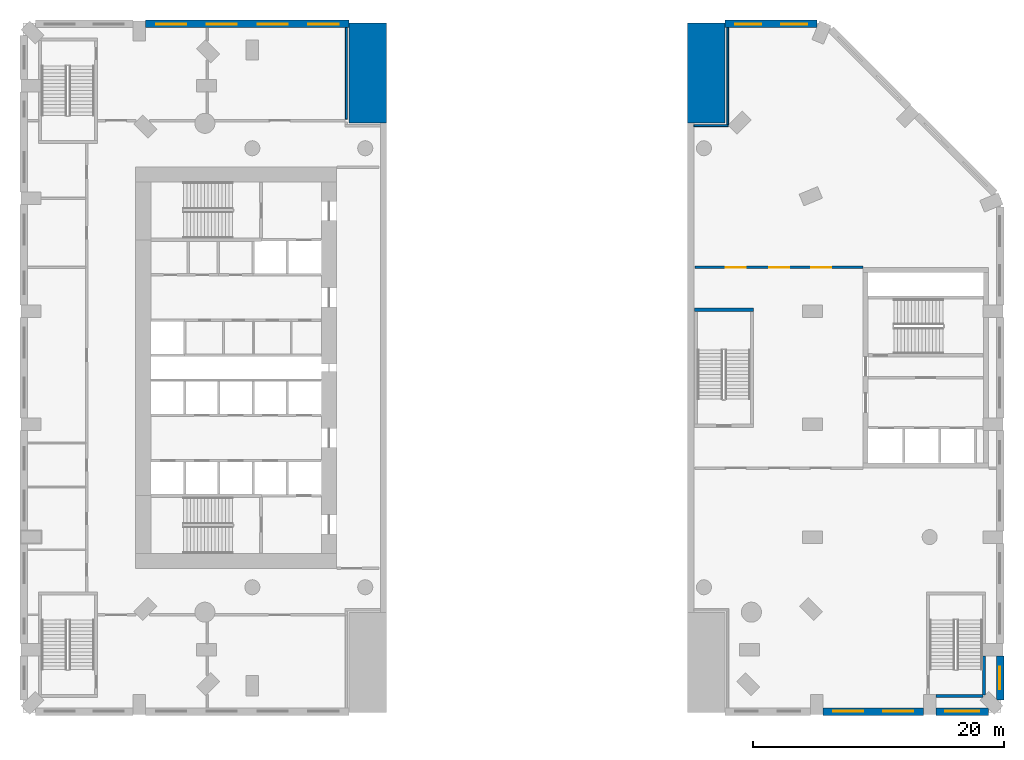
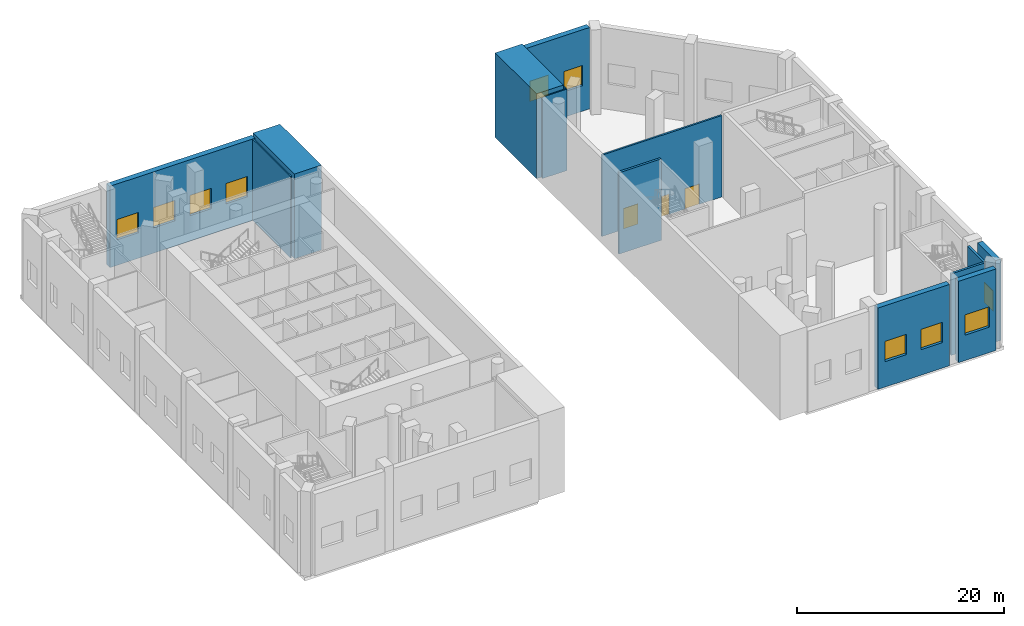
# One storey, part 7 of 16: 14 walls, 10 windows, 3 doors, 13 openings.
"""IFC4 building model written with IfcOpenShell, lengths in metres."""

from ifc_helpers import new_model, si_unit, direction, frame, frame_2d, origin, place, context, subcontext, project, spatial, rectangle, extrude, material, layer, layer_set, type_object, element, fill, save


model = new_model("IFC4")

# Units and contexts
model_context = context("Model", 3, precision=1e-05, world=origin(), true_north=direction((0.0, 1.0)))
body_context = subcontext(model_context, "Body", "Model", "MODEL_VIEW")
ifc_project = project(units=[si_unit("LENGTHUNIT", "METRE"), si_unit("AREAUNIT", "SQUARE_METRE"), si_unit("VOLUMEUNIT", "CUBIC_METRE"), si_unit("PLANEANGLEUNIT", "RADIAN"), si_unit("MASSUNIT", "GRAM", prefix="KILO")], contexts=[model_context])

# Site, building, storey
site_placement = place(None, origin())
site = spatial("IfcSite", under=ifc_project, at=site_placement, CompositionType="ELEMENT")
building_placement = place(site_placement, origin())
building = spatial("IfcBuilding", under=site, at=building_placement, Name="Cypress Arch Tower", CompositionType="ELEMENT")
storey_placement = place(building_placement, frame((0.0, 0.0, 9.0)))
storey = spatial("IfcBuildingStorey", under=building, at=storey_placement, Name="L01", CompositionType="ELEMENT", Elevation=9.0)

# Wall, openings, windows
ifc_material_1 = material(Name="Brick (red buff blend) on blockwork backing", Category="masonry")
ifc_layer_1 = layer(ifc_material_1, 0.60009765625)
ifc_layer_set_1 = layer_set([ifc_layer_1], Name="Brick base wall BW600")
wall_type_1 = type_object("IfcWallType", Name="Brick base wall BW600", PredefinedType="ELEMENTEDWALL", material=ifc_layer_set_1)
wall_1_placement = place(storey_placement, frame((24.800048828125, -27.425048828125, 0.0), z_axis=(0.0, 0.0, 1.0), x_axis=(1.0, 0.0, 0.0)))
wall_1 = element("IfcWall", 1, at=wall_1_placement, inside=storey, type_object=wall_type_1, Name="Brick wall L01 P00.3", PredefinedType="ELEMENTEDWALL", context=body_context, shape_type="SweptSolid", body=[
    extrude(rectangle(XDim=8.0, YDim=0.60009765625, at=frame_2d((4.0, 0.0))), origin(), (0.0, 0.0, 1.0), 9.60009765625),
])
opening_1_placement = place(wall_1_placement, frame((0.800048828125, 0.0, 3.0)))
opening_1 = element("IfcOpeningElement", 2, at=opening_1_placement, cuts=wall_1, Name="Opening W240P", PredefinedType="OPENING", context=body_context, shape_type="SweptSolid", body=[
    extrude(rectangle(XDim=2.39990234375, YDim=2.39990234375, at=frame_2d((1.199951171875, 1.199951171875))), frame((0.0, 0.31005859375, 0.0), z_axis=(0.0, -1.0, 0.0), x_axis=(1.0, 0.0, 0.0)), (0.0, 0.0, 1.0), 0.6201171875),
])
opening_2_placement = place(wall_1_placement, frame((4.800048828125, 0.0, 3.0)))
opening_2 = element("IfcOpeningElement", 3, at=opening_2_placement, cuts=wall_1, Name="Opening W240P", PredefinedType="OPENING", context=body_context, shape_type="SweptSolid", body=[
    extrude(rectangle(XDim=2.39990234375, YDim=2.39990234375, at=frame_2d((1.199951171875, 1.199951171875))), frame((0.0, 0.31005859375, 0.0), z_axis=(0.0, -1.0, 0.0), x_axis=(1.0, 0.0, 0.0)), (0.0, 0.0, 1.0), 0.6201171875),
])
ifc_material_2 = material(Name="Anodised aluminium, bronze finish, clear low-emissivity double glazing", Category="aluminium")
window_type_1 = type_object("IfcWindowType", Name="Window Podium 2400x2400", PartitioningType="SINGLE_PANEL", PredefinedType="WINDOW", material=ifc_material_2)
window_1_placement = place(opening_1_placement, origin())
window_1 = element("IfcWindow", 4, at=window_1_placement, inside=storey, type_object=window_type_1, Name="Window L01 P00.3.1", OverallHeight=2.39990234375, OverallWidth=2.39990234375, PartitioningType="SINGLE_PANEL", PredefinedType="WINDOW", context=body_context, shape_type="SweptSolid", body=[
    extrude(rectangle(XDim=2.39990234375, YDim=2.39990234375, at=frame_2d((1.199951171875, 1.199951171875))), frame((0.0, 0.06005859375, 0.0), z_axis=(0.0, -1.0, 0.0), x_axis=(1.0, 0.0, 0.0)), (0.0, 0.0, 1.0), 0.06005859375),
])
fill(opening_1, window_1)
window_2_placement = place(opening_2_placement, origin())
window_2 = element("IfcWindow", 5, at=window_2_placement, inside=storey, type_object=window_type_1, Name="Window L01 P00.3.2", OverallHeight=2.39990234375, OverallWidth=2.39990234375, PartitioningType="SINGLE_PANEL", PredefinedType="WINDOW", context=body_context, shape_type="SweptSolid", body=[
    extrude(rectangle(XDim=2.39990234375, YDim=2.39990234375, at=frame_2d((1.199951171875, 1.199951171875))), frame((0.0, 0.06005859375, 0.0), z_axis=(0.0, -1.0, 0.0), x_axis=(1.0, 0.0, 0.0)), (0.0, 0.0, 1.0), 0.06005859375),
])
fill(opening_2, window_2)

# Wall, opening, window
wall_2_placement = place(storey_placement, frame((33.800048828125, -27.425048828125, 0.0), z_axis=(0.0, 0.0, 1.0), x_axis=(1.0, 0.0, 0.0)))
wall_2 = element("IfcWall", 6, at=wall_2_placement, inside=storey, type_object=wall_type_1, Name="Brick wall L01 P00.4", PredefinedType="ELEMENTEDWALL", context=body_context, shape_type="SweptSolid", body=[
    extrude(rectangle(XDim=4.19287109375, YDim=0.60009765625, at=frame_2d((2.096435546875, 0.0))), origin(), (0.0, 0.0, 1.0), 9.60009765625),
])
opening_3_placement = place(wall_2_placement, frame((0.746337890625, 0.0, 3.0)))
opening_3 = element("IfcOpeningElement", 7, at=opening_3_placement, cuts=wall_2, Name="Opening W270P", PredefinedType="OPENING", context=body_context, shape_type="SweptSolid", body=[
    extrude(rectangle(XDim=2.699951171875, YDim=2.39990234375, at=frame_2d((1.35009765625, 1.199951171875))), frame((0.0, 0.31005859375, 0.0), z_axis=(0.0, -1.0, 0.0), x_axis=(1.0, 0.0, 0.0)), (0.0, 0.0, 1.0), 0.6201171875),
])
ifc_material_3 = material(Name="Anodised aluminium, bronze finish, clear low-emissivity double glazing", Category="aluminium")
window_type_2 = type_object("IfcWindowType", Name="Window Podium 2700x2400", PartitioningType="SINGLE_PANEL", PredefinedType="WINDOW", material=ifc_material_3)
window_3_placement = place(opening_3_placement, origin())
window_3 = element("IfcWindow", 8, at=window_3_placement, inside=storey, type_object=window_type_2, Name="Window L01 P00.4.1", OverallHeight=2.39990234375, OverallWidth=2.699951171875, PartitioningType="SINGLE_PANEL", PredefinedType="WINDOW", context=body_context, shape_type="SweptSolid", body=[
    extrude(rectangle(XDim=2.699951171875, YDim=2.39990234375, at=frame_2d((1.35009765625, 1.199951171875))), frame((0.0, 0.06005859375, 0.0), z_axis=(0.0, -1.0, 0.0), x_axis=(1.0, 0.0, 0.0)), (0.0, 0.0, 1.0), 0.06005859375),
])
fill(opening_3, window_3)

wall_3_placement = place(storey_placement, frame((38.925048828125, -26.492919921875, 0.0), z_axis=(0.0, 0.0, 1.0), x_axis=(0.0, 1.0, 0.0)))
wall_3 = element("IfcWall", 9, at=wall_3_placement, inside=storey, type_object=wall_type_1, Name="Brick wall L01 P01.0", PredefinedType="ELEMENTEDWALL", context=body_context, shape_type="SweptSolid", body=[
    extrude(rectangle(XDim=3.492919921875, YDim=0.60009765625, at=frame_2d((1.74658203125, 0.0))), origin(), (0.0, 0.0, 1.0), 9.60009765625),
])
opening_4_placement = place(wall_3_placement, frame((0.846435546875, 0.0, 3.0)))
opening_4 = element("IfcOpeningElement", 10, at=opening_4_placement, cuts=wall_3, Name="Opening W180P", PredefinedType="OPENING", context=body_context, shape_type="SweptSolid", body=[
    extrude(rectangle(XDim=1.800048828125, YDim=2.39990234375, at=frame_2d((0.89990234375, 1.199951171875))), frame((0.0, 0.31005859375, 0.0), z_axis=(0.0, -1.0, 0.0), x_axis=(1.0, 0.0, 0.0)), (0.0, 0.0, 1.0), 0.6201171875),
])
ifc_material_4 = material(Name="Anodised aluminium, bronze finish, clear low-emissivity double glazing", Category="aluminium")
window_type_3 = type_object("IfcWindowType", Name="Window Podium 1800x2400", PartitioningType="SINGLE_PANEL", PredefinedType="WINDOW", material=ifc_material_4)
window_4_placement = place(opening_4_placement, origin())
window_4 = element("IfcWindow", 11, at=window_4_placement, inside=storey, type_object=window_type_3, Name="Window L01 P01.0.1", OverallHeight=2.39990234375, OverallWidth=1.800048828125, PartitioningType="SINGLE_PANEL", PredefinedType="WINDOW", context=body_context, shape_type="SweptSolid", body=[
    extrude(rectangle(XDim=1.800048828125, YDim=2.39990234375, at=frame_2d((0.89990234375, 1.199951171875))), frame((0.0, 0.06005859375, 0.0), z_axis=(0.0, -1.0, 0.0), x_axis=(1.0, 0.0, 0.0)), (0.0, 0.0, 1.0), 0.06005859375),
])
fill(opening_4, window_4)

# Wall, openings, windows
wall_4_placement = place(storey_placement, frame((24.33447265625, 27.425048828125, 0.0), z_axis=(0.0, 0.0, 1.0), x_axis=(-1.0, 0.0, 0.0)))
wall_4 = element("IfcWall", 12, at=wall_4_placement, inside=storey, type_object=wall_type_1, Name="Brick wall L01 P03.0", PredefinedType="ELEMENTEDWALL", context=body_context, shape_type="SweptSolid", body=[
    extrude(rectangle(XDim=7.33447265625, YDim=0.60009765625, at=frame_2d((3.667236328125, 0.0))), origin(), (0.0, 0.0, 1.0), 9.60009765625),
])
opening_5_placement = place(wall_4_placement, frame((0.78369140625, 0.0, 3.0)))
opening_5 = element("IfcOpeningElement", 13, at=opening_5_placement, cuts=wall_4, Name="Opening W210P", PredefinedType="OPENING", context=body_context, shape_type="SweptSolid", body=[
    extrude(rectangle(XDim=2.10009765625, YDim=2.39990234375, at=frame_2d((1.050048828125, 1.199951171875))), frame((0.0, 0.31005859375, 0.0), z_axis=(0.0, -1.0, 0.0), x_axis=(1.0, 0.0, 0.0)), (0.0, 0.0, 1.0), 0.6201171875),
])
opening_6_placement = place(wall_4_placement, frame((4.450927734375, 0.0, 3.0)))
opening_6 = element("IfcOpeningElement", 14, at=opening_6_placement, cuts=wall_4, Name="Opening W210P", PredefinedType="OPENING", context=body_context, shape_type="SweptSolid", body=[
    extrude(rectangle(XDim=2.10009765625, YDim=2.39990234375, at=frame_2d((1.050048828125, 1.199951171875))), frame((0.0, 0.31005859375, 0.0), z_axis=(0.0, -1.0, 0.0), x_axis=(1.0, 0.0, 0.0)), (0.0, 0.0, 1.0), 0.6201171875),
])
ifc_material_5 = material(Name="Anodised aluminium, bronze finish, clear low-emissivity double glazing", Category="aluminium")
window_type_4 = type_object("IfcWindowType", Name="Window Podium 2100x2400", PartitioningType="SINGLE_PANEL", PredefinedType="WINDOW", material=ifc_material_5)
window_5_placement = place(opening_5_placement, origin())
window_5 = element("IfcWindow", 15, at=window_5_placement, inside=storey, type_object=window_type_4, Name="Window L01 P03.0.1", OverallHeight=2.39990234375, OverallWidth=2.10009765625, PartitioningType="SINGLE_PANEL", PredefinedType="WINDOW", context=body_context, shape_type="SweptSolid", body=[
    extrude(rectangle(XDim=2.10009765625, YDim=2.39990234375, at=frame_2d((1.050048828125, 1.199951171875))), frame((0.0, 0.06005859375, 0.0), z_axis=(0.0, -1.0, 0.0), x_axis=(1.0, 0.0, 0.0)), (0.0, 0.0, 1.0), 0.06005859375),
])
fill(opening_5, window_5)
window_6_placement = place(opening_6_placement, origin())
window_6 = element("IfcWindow", 16, at=window_6_placement, inside=storey, type_object=window_type_4, Name="Window L01 P03.0.2", OverallHeight=2.39990234375, OverallWidth=2.10009765625, PartitioningType="SINGLE_PANEL", PredefinedType="WINDOW", context=body_context, shape_type="SweptSolid", body=[
    extrude(rectangle(XDim=2.10009765625, YDim=2.39990234375, at=frame_2d((1.050048828125, 1.199951171875))), frame((0.0, 0.06005859375, 0.0), z_axis=(0.0, -1.0, 0.0), x_axis=(1.0, 0.0, 0.0)), (0.0, 0.0, 1.0), 0.06005859375),
])
fill(opening_6, window_6)

wall_5_placement = place(storey_placement, frame((-13.0, 27.425048828125, 0.0), z_axis=(0.0, 0.0, 1.0), x_axis=(-1.0, 0.0, 0.0)))
wall_5 = element("IfcWall", 17, at=wall_5_placement, inside=storey, type_object=wall_type_1, Name="Brick wall L01 P03.0p1", PredefinedType="ELEMENTEDWALL", context=body_context, shape_type="SweptSolid", body=[
    extrude(rectangle(XDim=16.199951171875, YDim=0.60009765625, at=frame_2d((8.10009765625, 0.0))), origin(), (0.0, 0.0, 1.0), 9.60009765625),
])
opening_7_placement = place(wall_5_placement, frame((0.824951171875, 0.0, 3.0)))
opening_7 = element("IfcOpeningElement", 18, at=opening_7_placement, cuts=wall_5, Name="Opening W240P", PredefinedType="OPENING", context=body_context, shape_type="SweptSolid", body=[
    extrude(rectangle(XDim=2.39990234375, YDim=2.39990234375, at=frame_2d((1.199951171875, 1.199951171875))), frame((0.0, 0.31005859375, 0.0), z_axis=(0.0, -1.0, 0.0), x_axis=(1.0, 0.0, 0.0)), (0.0, 0.0, 1.0), 0.6201171875),
])
opening_8_placement = place(wall_5_placement, frame((4.875, 0.0, 3.0)))
opening_8 = element("IfcOpeningElement", 19, at=opening_8_placement, cuts=wall_5, Name="Opening W240P", PredefinedType="OPENING", context=body_context, shape_type="SweptSolid", body=[
    extrude(rectangle(XDim=2.39990234375, YDim=2.39990234375, at=frame_2d((1.199951171875, 1.199951171875))), frame((0.0, 0.31005859375, 0.0), z_axis=(0.0, -1.0, 0.0), x_axis=(1.0, 0.0, 0.0)), (0.0, 0.0, 1.0), 0.6201171875),
])
opening_9_placement = place(wall_5_placement, frame((8.925048828125, 0.0, 3.0)))
opening_9 = element("IfcOpeningElement", 20, at=opening_9_placement, cuts=wall_5, Name="Opening W240P", PredefinedType="OPENING", context=body_context, shape_type="SweptSolid", body=[
    extrude(rectangle(XDim=2.39990234375, YDim=2.39990234375, at=frame_2d((1.199951171875, 1.199951171875))), frame((0.0, 0.31005859375, 0.0), z_axis=(0.0, -1.0, 0.0), x_axis=(1.0, 0.0, 0.0)), (0.0, 0.0, 1.0), 0.6201171875),
])
opening_10_placement = place(wall_5_placement, frame((12.97509765625, 0.0, 3.0)))
opening_10 = element("IfcOpeningElement", 21, at=opening_10_placement, cuts=wall_5, Name="Opening W240P", PredefinedType="OPENING", context=body_context, shape_type="SweptSolid", body=[
    extrude(rectangle(XDim=2.39990234375, YDim=2.39990234375, at=frame_2d((1.199951171875, 1.199951171875))), frame((0.0, 0.31005859375, 0.0), z_axis=(0.0, -1.0, 0.0), x_axis=(1.0, 0.0, 0.0)), (0.0, 0.0, 1.0), 0.6201171875),
])
window_7_placement = place(opening_7_placement, origin())
window_7 = element("IfcWindow", 22, at=window_7_placement, inside=storey, type_object=window_type_1, Name="Window L01 P03.0p1.1", OverallHeight=2.39990234375, OverallWidth=2.39990234375, PartitioningType="SINGLE_PANEL", PredefinedType="WINDOW", context=body_context, shape_type="SweptSolid", body=[
    extrude(rectangle(XDim=2.39990234375, YDim=2.39990234375, at=frame_2d((1.199951171875, 1.199951171875))), frame((0.0, 0.06005859375, 0.0), z_axis=(0.0, -1.0, 0.0), x_axis=(1.0, 0.0, 0.0)), (0.0, 0.0, 1.0), 0.06005859375),
])
fill(opening_7, window_7)
window_8_placement = place(opening_8_placement, origin())
window_8 = element("IfcWindow", 23, at=window_8_placement, inside=storey, type_object=window_type_1, Name="Window L01 P03.0p1.2", OverallHeight=2.39990234375, OverallWidth=2.39990234375, PartitioningType="SINGLE_PANEL", PredefinedType="WINDOW", context=body_context, shape_type="SweptSolid", body=[
    extrude(rectangle(XDim=2.39990234375, YDim=2.39990234375, at=frame_2d((1.199951171875, 1.199951171875))), frame((0.0, 0.06005859375, 0.0), z_axis=(0.0, -1.0, 0.0), x_axis=(1.0, 0.0, 0.0)), (0.0, 0.0, 1.0), 0.06005859375),
])
fill(opening_8, window_8)
window_9_placement = place(opening_9_placement, origin())
window_9 = element("IfcWindow", 24, at=window_9_placement, inside=storey, type_object=window_type_1, Name="Window L01 P03.0p1.3", OverallHeight=2.39990234375, OverallWidth=2.39990234375, PartitioningType="SINGLE_PANEL", PredefinedType="WINDOW", context=body_context, shape_type="SweptSolid", body=[
    extrude(rectangle(XDim=2.39990234375, YDim=2.39990234375, at=frame_2d((1.199951171875, 1.199951171875))), frame((0.0, 0.06005859375, 0.0), z_axis=(0.0, -1.0, 0.0), x_axis=(1.0, 0.0, 0.0)), (0.0, 0.0, 1.0), 0.06005859375),
])
fill(opening_9, window_9)
window_10_placement = place(opening_10_placement, origin())
window_10 = element("IfcWindow", 25, at=window_10_placement, inside=storey, type_object=window_type_1, Name="Window L01 P03.0p1.4", OverallHeight=2.39990234375, OverallWidth=2.39990234375, PartitioningType="SINGLE_PANEL", PredefinedType="WINDOW", context=body_context, shape_type="SweptSolid", body=[
    extrude(rectangle(XDim=2.39990234375, YDim=2.39990234375, at=frame_2d((1.199951171875, 1.199951171875))), frame((0.0, 0.06005859375, 0.0), z_axis=(0.0, -1.0, 0.0), x_axis=(1.0, 0.0, 0.0)), (0.0, 0.0, 1.0), 0.06005859375),
])
fill(opening_10, window_10)

# Wall, openings, doors
ifc_material_6 = material(Name="Concrete blockwork, plastered, rated", Category="masonry")
ifc_layer_2 = layer(ifc_material_6, 0.199951171875)
ifc_layer_set_2 = layer_set([ifc_layer_2], Name="Corridor wall FW200")
wall_type_2 = type_object("IfcWallType", Name="Corridor wall FW200", PredefinedType="PARTITIONING", material=ifc_layer_set_2)
wall_6_placement = place(storey_placement, frame((14.60009765625, 8.0, 0.0), z_axis=(0.0, 0.0, 1.0), x_axis=(1.0, 0.0, 0.0)))
wall_6 = element("IfcWall", 26, at=wall_6_placement, inside=storey, type_object=wall_type_2, Name="Corridor wall", PredefinedType="PARTITIONING", context=body_context, shape_type="SweptSolid", body=[
    extrude(rectangle(XDim=13.369873046875, YDim=0.199951171875, at=frame_2d((6.68505859375, 0.0))), origin(), (0.0, 0.0, 1.0), 9.597900390625),
])
opening_11_placement = place(wall_6_placement, frame((5.89990234375, 0.0, 0.0)))
opening_11 = element("IfcOpeningElement", 27, at=opening_11_placement, cuts=wall_6, Name="Opening D10", PredefinedType="OPENING", context=body_context, shape_type="SweptSolid", body=[
    extrude(rectangle(XDim=1.60009765625, YDim=2.39990234375, at=frame_2d((0.800048828125, 1.199951171875))), frame((0.0, 0.10986328125, 0.0), z_axis=(0.0, -1.0, 0.0), x_axis=(1.0, 0.0, 0.0)), (0.0, 0.0, 1.0), 0.219970703125),
])
opening_12_placement = place(wall_6_placement, frame((2.449951171875, 0.0, 0.0)))
opening_12 = element("IfcOpeningElement", 28, at=opening_12_placement, cuts=wall_6, Name="Opening D10", PredefinedType="OPENING", context=body_context, shape_type="SweptSolid", body=[
    extrude(rectangle(XDim=1.60009765625, YDim=2.39990234375, at=frame_2d((0.800048828125, 1.199951171875))), frame((0.0, 0.10986328125, 0.0), z_axis=(0.0, -1.0, 0.0), x_axis=(1.0, 0.0, 0.0)), (0.0, 0.0, 1.0), 0.219970703125),
])
opening_13_placement = place(wall_6_placement, frame((9.25, 0.0, 0.0)))
opening_13 = element("IfcOpeningElement", 29, at=opening_13_placement, cuts=wall_6, Name="Opening D10", PredefinedType="OPENING", context=body_context, shape_type="SweptSolid", body=[
    extrude(rectangle(XDim=1.60009765625, YDim=2.39990234375, at=frame_2d((0.800048828125, 1.199951171875))), frame((0.0, 0.10986328125, 0.0), z_axis=(0.0, -1.0, 0.0), x_axis=(1.0, 0.0, 0.0)), (0.0, 0.0, 1.0), 0.219970703125),
])
ifc_material_7 = material(Name="Black aluminium glazed door", Category="aluminium")
door_type = type_object("IfcDoorType", Name="Amenity door D10 1600x2400", OperationType="DOUBLE_DOOR_SINGLE_SWING", PredefinedType="DOOR", material=ifc_material_7)
door_1_placement = place(opening_11_placement, origin())
door_1 = element("IfcDoor", 30, at=door_1_placement, inside=storey, type_object=door_type, Name="Amenity door", OperationType="DOUBLE_DOOR_SINGLE_SWING", OverallHeight=2.39990234375, OverallWidth=1.60009765625, PredefinedType="DOOR", context=body_context, shape_type="SweptSolid", body=[
    extrude(rectangle(XDim=1.60009765625, YDim=2.39990234375, at=frame_2d((0.800048828125, 1.199951171875))), frame((0.0, 0.02490234375, 0.0), z_axis=(0.0, -1.0, 0.0), x_axis=(1.0, 0.0, 0.0)), (0.0, 0.0, 1.0), 0.050048828125),
])
fill(opening_11, door_1)
door_2_placement = place(opening_12_placement, origin())
door_2 = element("IfcDoor", 31, at=door_2_placement, inside=storey, type_object=door_type, Name="Amenity door", OperationType="DOUBLE_DOOR_SINGLE_SWING", OverallHeight=2.39990234375, OverallWidth=1.60009765625, PredefinedType="DOOR", context=body_context, shape_type="SweptSolid", body=[
    extrude(rectangle(XDim=1.60009765625, YDim=2.39990234375, at=frame_2d((0.800048828125, 1.199951171875))), frame((0.0, 0.02490234375, 0.0), z_axis=(0.0, -1.0, 0.0), x_axis=(1.0, 0.0, 0.0)), (0.0, 0.0, 1.0), 0.050048828125),
])
fill(opening_12, door_2)
door_3_placement = place(opening_13_placement, origin())
door_3 = element("IfcDoor", 32, at=door_3_placement, inside=storey, type_object=door_type, Name="Amenity door", OperationType="DOUBLE_DOOR_SINGLE_SWING", OverallHeight=2.39990234375, OverallWidth=1.60009765625, PredefinedType="DOOR", context=body_context, shape_type="SweptSolid", body=[
    extrude(rectangle(XDim=1.60009765625, YDim=2.39990234375, at=frame_2d((0.800048828125, 1.199951171875))), frame((0.0, 0.02490234375, 0.0), z_axis=(0.0, -1.0, 0.0), x_axis=(1.0, 0.0, 0.0)), (0.0, 0.0, 1.0), 0.050048828125),
])
fill(opening_13, door_3)

# Walls
ifc_material_8 = material(Name="Blockwork, plastered both sides", Category="masonry")
ifc_layer_3 = layer(ifc_material_8, 0.14990234375)
ifc_layer_set_3 = layer_set([ifc_layer_3], Name="Partition PW150")
wall_type_3 = type_object("IfcWallType", Name="Partition PW150", PredefinedType="PARTITIONING", material=ifc_layer_set_3)
wall_7_placement = place(storey_placement, frame((-13.199951171875, 19.820068359375, 0.0), z_axis=(0.0, 0.0, 1.0), x_axis=(0.0, 1.0, 0.0)))
element("IfcWall", 33, at=wall_7_placement, inside=storey, type_object=wall_type_3, Name="Partition", PredefinedType="PARTITIONING", context=body_context, shape_type="SweptSolid", body=[
    extrude(rectangle(XDim=7.304931640625, YDim=0.14990234375, at=frame_2d((3.65234375, 0.0))), origin(), (0.0, 0.0, 1.0), 9.597900390625),
])
wall_8_placement = place(storey_placement, frame((14.5, 19.300048828125, 0.0), z_axis=(0.0, 0.0, 1.0), x_axis=(1.0, 0.0, 0.0)))
element("IfcWall", 34, at=wall_8_placement, inside=storey, type_object=wall_type_3, Name="Partition", PredefinedType="PARTITIONING", context=body_context, shape_type="SweptSolid", body=[
    extrude(rectangle(XDim=2.7294921875, YDim=0.14990234375, at=frame_2d((1.36474609375, 0.0))), origin(), (0.0, 0.0, 1.0), 9.597900390625),
])
wall_9_placement = place(storey_placement, frame((17.199951171875, 19.3759765625, 0.0), z_axis=(0.0, 0.0, 1.0), x_axis=(0.0, 1.0, 0.0)))
element("IfcWall", 35, at=wall_9_placement, inside=storey, type_object=wall_type_3, Name="Partition", PredefinedType="PARTITIONING", context=body_context, shape_type="SweptSolid", body=[
    extrude(rectangle(XDim=7.7490234375, YDim=0.14990234375, at=frame_2d((3.87451171875, 0.0))), origin(), (0.0, 0.0, 1.0), 9.597900390625),
])
ifc_material_9 = material(Name="Concrete C80/95", Category="concrete")
ifc_layer_4 = layer(ifc_material_9, 3.0)
ifc_layer_set_4 = layer_set([ifc_layer_4], Name="Pier wall 3000 Concrete C80/95")
wall_type_4 = type_object("IfcWallType", Name="Pier wall 3000 Concrete C80/95", PredefinedType="SOLIDWALL", material=ifc_layer_set_4)
for number, where, z_axis, x_axis, name in (
    (36, (-11.5, 19.5, 0.0), (0.0, 0.0, 1.0), (0.0, 1.0, 0.0), "Gate pier wall PW-WN L01"),
    (37, (15.5, 19.5, 0.0), (0.0, 0.0, 1.0), (0.0, 1.0, 0.0), "Gate pier wall PW-EN L01"),
):
    element("IfcWall", number, at=place(storey_placement, frame(where, z_axis=z_axis, x_axis=x_axis)), inside=storey, type_object=wall_type_4, Name=name, PredefinedType="SOLIDWALL", context=body_context, shape_type="SweptSolid", body=[
        extrude(rectangle(XDim=8.0, YDim=3.0, at=frame_2d((4.0, 0.0))), origin(), (0.0, 0.0, 1.0), 10.0),
    ])
ifc_material_10 = material(Name="Concrete C50/60", Category="concrete")
ifc_layer_5 = layer(ifc_material_10, 0.25)
ifc_layer_set_5 = layer_set([ifc_layer_5], Name="Stair enclosure wall SW250")
wall_type_5 = type_object("IfcWallType", Name="Stair enclosure wall SW250", PredefinedType="SHEAR", material=ifc_layer_set_5)
wall_10_placement = place(storey_placement, frame((14.550048828125, 4.625, 0.0), z_axis=(0.0, 0.0, 1.0), x_axis=(1.0, 0.0, 0.0)))
element("IfcWall", 38, at=wall_10_placement, inside=storey, type_object=wall_type_5, Name="Stair enclosure wall", PredefinedType="SHEAR", context=body_context, shape_type="SweptSolid", body=[
    extrude(rectangle(XDim=4.699951171875, YDim=0.25, at=frame_2d((2.35009765625, 0.0))), origin(), (0.0, 0.0, 1.0), 9.60009765625),
])
wall_11_placement = place(storey_placement, frame((33.800048828125, -26.175048828125, 0.0), z_axis=(0.0, 0.0, 1.0), x_axis=(1.0, 0.0, 0.0)))
element("IfcWall", 39, at=wall_11_placement, inside=storey, type_object=wall_type_5, Name="Stair enclosure wall", PredefinedType="SHEAR", context=body_context, shape_type="SweptSolid", body=[
    extrude(rectangle(XDim=3.7451171875, YDim=0.25, at=frame_2d((1.87255859375, 0.0))), origin(), (0.0, 0.0, 1.0), 9.60009765625),
])
wall_12_placement = place(storey_placement, frame((37.625, -26.09521484375, 0.0), z_axis=(0.0, 0.0, 1.0), x_axis=(0.0, 1.0, 0.0)))
element("IfcWall", 40, at=wall_12_placement, inside=storey, type_object=wall_type_5, Name="Stair enclosure wall", PredefinedType="SHEAR", context=body_context, shape_type="SweptSolid", body=[
    extrude(rectangle(XDim=3.09521484375, YDim=0.25, at=frame_2d((1.547607421875, 0.0))), origin(), (0.0, 0.0, 1.0), 9.60009765625),
])

save(model, "model.ifc")
